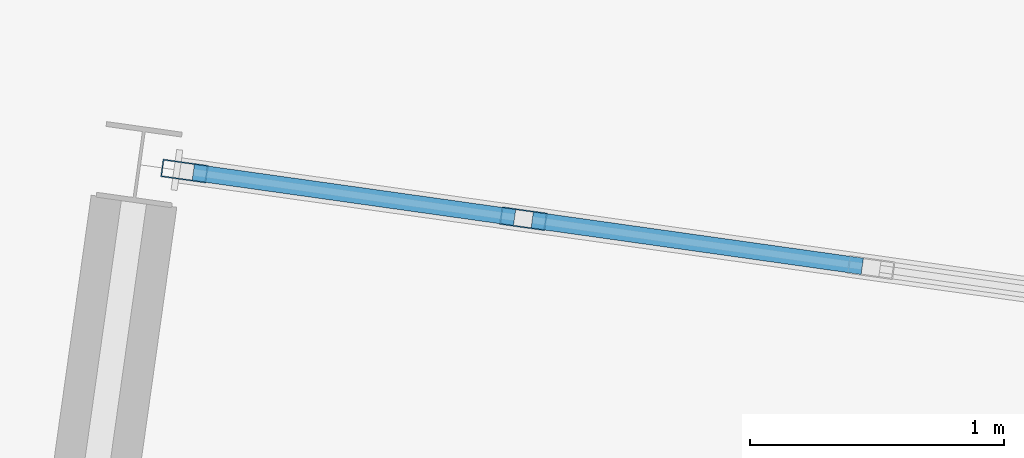
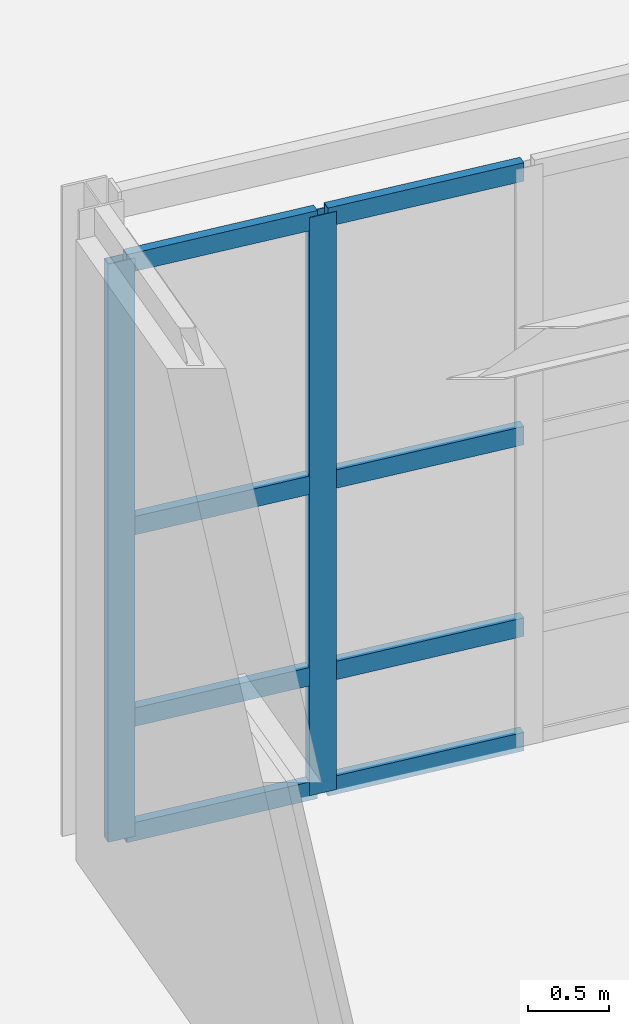
# One storey, part 24 of 57: 10 members, 1 element without a shape of its own.
"""IFC4 building model written with IfcOpenShell, lengths in metres."""

from ifc_helpers import new_model, si_unit, direction, frame, origin, origin_2d, place, context, subcontext, project, spatial, hollow_rectangle, extrude, material, layer, layer_set, material_profile, profile_set, type_object, element, aggregate, save


model = new_model("IFC4")

# Units and contexts
model_context = context("Model", 3, precision=1e-05, world=origin(), true_north=direction((0.0, 1.0)))
body_context = subcontext(model_context, "Body", "Model", "MODEL_VIEW")
ifc_project = project(units=[si_unit("LENGTHUNIT", "METRE"), si_unit("AREAUNIT", "SQUARE_METRE"), si_unit("VOLUMEUNIT", "CUBIC_METRE"), si_unit("PLANEANGLEUNIT", "RADIAN"), si_unit("MASSUNIT", "GRAM", prefix="KILO")], contexts=[model_context])

# Site, building, storey
site_placement = place(None, origin())
site = spatial("IfcSite", under=ifc_project, at=site_placement, CompositionType="ELEMENT")
building_placement = place(site_placement, origin())
building = spatial("IfcBuilding", under=site, at=building_placement, Name="Kharisveld Research Institute", CompositionType="ELEMENT")
storey_placement = place(building_placement, origin())
storey = spatial("IfcBuildingStorey", under=building, at=storey_placement, Name="L00", CompositionType="ELEMENT", Elevation=0.0)

# Curtain wall, members
ifc_material_1 = material(Name="Thermally Broken Aluminium Curtain Wall", Category="aluminium")
ifc_layer = layer(ifc_material_1, 0.159912109375)
ifc_layer_set = layer_set([ifc_layer], Name="CW_SYS_03")
curtain_wall_type = type_object("IfcCurtainWallType", Name="CW_SYS_03", PredefinedType="NOTDEFINED", material=ifc_layer_set)
curtain_wall_placement = place(storey_placement, origin())
curtain_wall = element("IfcCurtainWall", 1, at=curtain_wall_placement, inside=storey, type_object=curtain_wall_type, Name="CW:V4:L00:N0", PredefinedType="NOTDEFINED")
ifc_material_2 = material(Name="Anodised Aluminium AW-6063-T6", Category="aluminium")
ifc_material_profile_1 = material_profile(ifc_material_2, hollow_rectangle(XDim=0.070068359375, YDim=0.179931640625, WallThickness=0.00439453125, at=origin_2d()))
ifc_profile_set_1 = profile_set([ifc_material_profile_1], Name="Anodised Aluminium AW-6063-T6")
member_type_1 = type_object("IfcMemberType", Name="CW_MUL_180", PredefinedType="MULLION", material=ifc_profile_set_1)
member_1_placement = place(storey_placement, frame((78.184326171875, 38.86474609375, 0.0), z_axis=(0.0, 0.0, 1.0), x_axis=(0.139173089933, 0.990268070291, 0.0)))
member_1 = element("IfcMember", 2, at=member_1_placement, type_object=member_type_1, Name="CW-03 mullion 1", PredefinedType="MULLION", context=body_context, shape_type="SweptSolid", body=[
    extrude(hollow_rectangle(XDim=0.070068359375, YDim=0.179931640625, WallThickness=0.00439453125, at=origin_2d()), origin(), (0.0, 0.0, 1.0), 4.3798828125),
])
member_2_placement = place(storey_placement, frame((79.518310546875, 38.67724609375, 0.0), z_axis=(0.0, 0.0, 1.0), x_axis=(0.139173089933, 0.990268070291, 0.0)))
member_2 = element("IfcMember", 3, at=member_2_placement, type_object=member_type_1, Name="CW-03 mullion 2", PredefinedType="MULLION", context=body_context, shape_type="SweptSolid", body=[
    extrude(hollow_rectangle(XDim=0.070068359375, YDim=0.179931640625, WallThickness=0.00439453125, at=origin_2d()), origin(), (0.0, 0.0, 1.0), 4.3798828125),
])
ifc_material_3 = material(Name="Anodised Aluminium AW-6063-T6", Category="aluminium")
ifc_material_profile_2 = material_profile(ifc_material_3, hollow_rectangle(XDim=0.06494140625, YDim=0.139892578125, WallThickness=0.00390625, at=origin_2d()))
ifc_profile_set_2 = profile_set([ifc_material_profile_2], Name="Anodised Aluminium AW-6063-T6")
member_type_2 = type_object("IfcMemberType", Name="CW_TRN_140", PredefinedType="USERDEFINED", material=ifc_profile_set_2)
member_3_placement = place(storey_placement, frame((78.218994140625, 38.85986328125, 0.032470703125), z_axis=(0.990268108888, -0.139172815303, 0.0), x_axis=(0.139172815303, 0.990268108888, 0.0)))
member_3 = element("IfcMember", 4, at=member_3_placement, type_object=member_type_2, Name="CW-03 transom 1.1", ObjectType="TRANSOM", PredefinedType="USERDEFINED", context=body_context, shape_type="SweptSolid", body=[
    extrude(hollow_rectangle(XDim=0.06494140625, YDim=0.139892578125, WallThickness=0.00390625, at=origin_2d()), origin(), (0.0, 0.0, 1.0), 1.277099609375),
])
member_4_placement = place(storey_placement, frame((78.218994140625, 38.85986328125, 0.89990234375), z_axis=(0.990268108888, -0.139172815303, 0.0), x_axis=(0.139172815303, 0.990268108888, 0.0)))
member_4 = element("IfcMember", 5, at=member_4_placement, type_object=member_type_2, Name="CW-03 transom 1.2", ObjectType="TRANSOM", PredefinedType="USERDEFINED", context=body_context, shape_type="SweptSolid", body=[
    extrude(hollow_rectangle(XDim=0.06494140625, YDim=0.139892578125, WallThickness=0.00390625, at=origin_2d()), origin(), (0.0, 0.0, 1.0), 1.277099609375),
])
member_5_placement = place(storey_placement, frame((78.218994140625, 38.85986328125, 2.35009765625), z_axis=(0.990268108888, -0.139172815303, 0.0), x_axis=(0.139172815303, 0.990268108888, 0.0)))
member_5 = element("IfcMember", 6, at=member_5_placement, type_object=member_type_2, Name="CW-03 transom 1.3", ObjectType="TRANSOM", PredefinedType="USERDEFINED", context=body_context, shape_type="SweptSolid", body=[
    extrude(hollow_rectangle(XDim=0.06494140625, YDim=0.139892578125, WallThickness=0.00390625, at=origin_2d()), origin(), (0.0, 0.0, 1.0), 1.277099609375),
])
member_6_placement = place(storey_placement, frame((78.218994140625, 38.85986328125, 4.347412109375), z_axis=(0.990268108888, -0.139172815303, 0.0), x_axis=(0.139172815303, 0.990268108888, 0.0)))
member_6 = element("IfcMember", 7, at=member_6_placement, type_object=member_type_2, Name="CW-03 transom 1.4", ObjectType="TRANSOM", PredefinedType="USERDEFINED", context=body_context, shape_type="SweptSolid", body=[
    extrude(hollow_rectangle(XDim=0.06494140625, YDim=0.139892578125, WallThickness=0.00390625, at=origin_2d()), origin(), (0.0, 0.0, 1.0), 1.277099609375),
])
member_7_placement = place(storey_placement, frame((79.552978515625, 38.67236328125, 0.032470703125), z_axis=(0.990263394512, -0.139206355778, 0.0), x_axis=(0.139206355778, 0.990263394512, 0.0)))
member_7 = element("IfcMember", 8, at=member_7_placement, type_object=member_type_2, Name="CW-03 transom 2.1", ObjectType="TRANSOM", PredefinedType="USERDEFINED", context=body_context, shape_type="SweptSolid", body=[
    extrude(hollow_rectangle(XDim=0.06494140625, YDim=0.139892578125, WallThickness=0.00390625, at=origin_2d()), origin(), (0.0, 0.0, 1.0), 1.311767578125),
])
member_8_placement = place(storey_placement, frame((79.552978515625, 38.67236328125, 0.89990234375), z_axis=(0.990263394512, -0.139206355778, 0.0), x_axis=(0.139206355778, 0.990263394512, 0.0)))
member_8 = element("IfcMember", 9, at=member_8_placement, type_object=member_type_2, Name="CW-03 transom 2.2", ObjectType="TRANSOM", PredefinedType="USERDEFINED", context=body_context, shape_type="SweptSolid", body=[
    extrude(hollow_rectangle(XDim=0.06494140625, YDim=0.139892578125, WallThickness=0.00390625, at=origin_2d()), origin(), (0.0, 0.0, 1.0), 1.311767578125),
])
member_9_placement = place(storey_placement, frame((79.552978515625, 38.67236328125, 2.35009765625), z_axis=(0.990263394512, -0.139206355778, 0.0), x_axis=(0.139206355778, 0.990263394512, 0.0)))
member_9 = element("IfcMember", 10, at=member_9_placement, type_object=member_type_2, Name="CW-03 transom 2.3", ObjectType="TRANSOM", PredefinedType="USERDEFINED", context=body_context, shape_type="SweptSolid", body=[
    extrude(hollow_rectangle(XDim=0.06494140625, YDim=0.139892578125, WallThickness=0.00390625, at=origin_2d()), origin(), (0.0, 0.0, 1.0), 1.311767578125),
])
member_10_placement = place(storey_placement, frame((79.552978515625, 38.67236328125, 4.347412109375), z_axis=(0.990263394512, -0.139206355778, 0.0), x_axis=(0.139206355778, 0.990263394512, 0.0)))
member_10 = element("IfcMember", 11, at=member_10_placement, type_object=member_type_2, Name="CW-03 transom 2.4", ObjectType="TRANSOM", PredefinedType="USERDEFINED", context=body_context, shape_type="SweptSolid", body=[
    extrude(hollow_rectangle(XDim=0.06494140625, YDim=0.139892578125, WallThickness=0.00390625, at=origin_2d()), origin(), (0.0, 0.0, 1.0), 1.311767578125),
])
aggregate(curtain_wall, [member_1, member_2, member_3, member_4, member_5, member_6, member_7, member_8, member_9, member_10])

save(model, "model.ifc")
